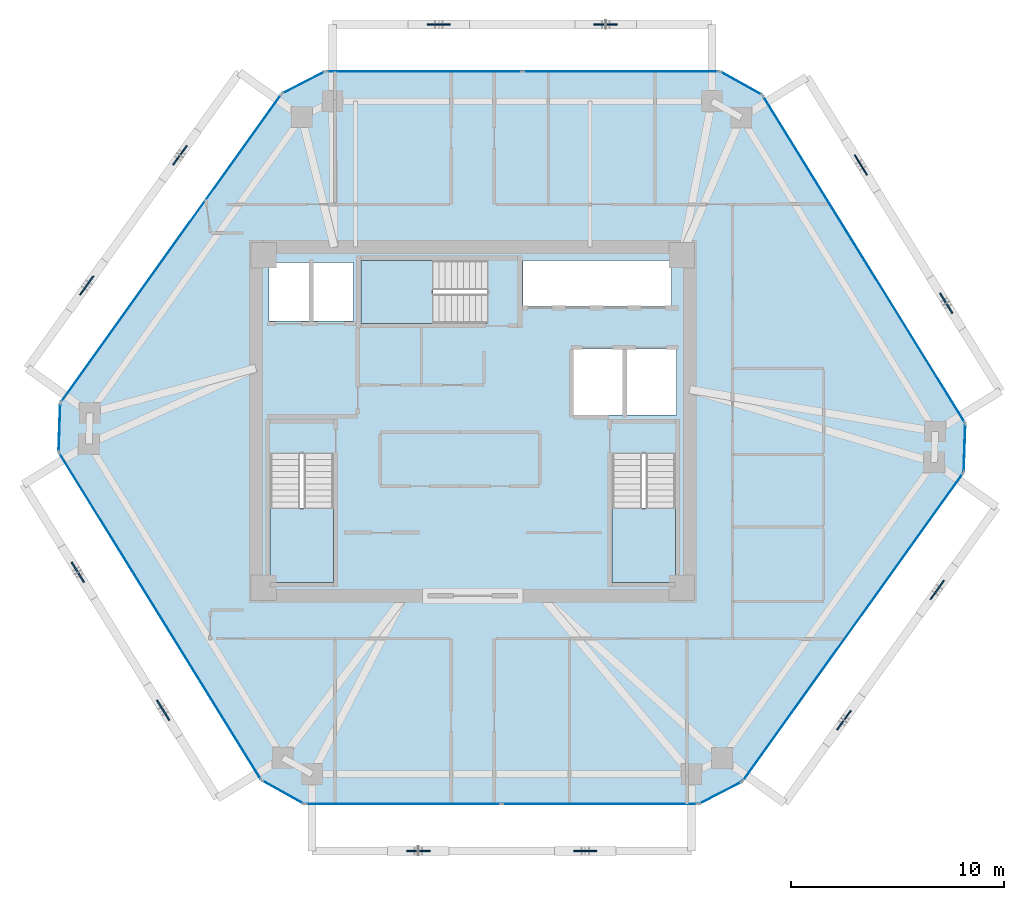
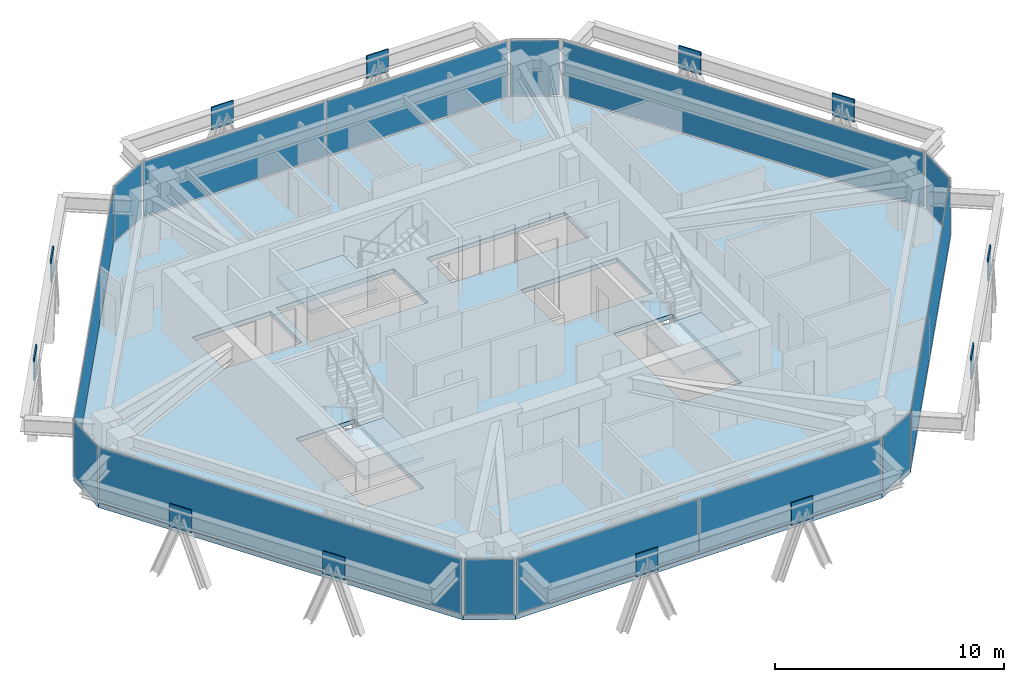
# One storey, part 7 of 14: 26 plates, 4 slabs, 15 elements without a shape of their own.
"""IFC4 building model written with IfcOpenShell, lengths in metres."""

from ifc_helpers import new_model, si_unit, direction, frame, origin, origin_2d, place, context, subcontext, project, spatial, polyline, rectangle, outline, extrude, source, transform, mapped, material, layer, layer_set, type_object, type_shapes, element, aggregate, save


model = new_model("IFC4")

# Units and contexts
model_context = context("Model", 3, precision=1e-05, world=origin(), true_north=direction((0.0, 1.0)))
body_context = subcontext(model_context, "Body", "Model", "MODEL_VIEW")
ifc_project = project(units=[si_unit("LENGTHUNIT", "METRE"), si_unit("AREAUNIT", "SQUARE_METRE"), si_unit("VOLUMEUNIT", "CUBIC_METRE"), si_unit("PLANEANGLEUNIT", "RADIAN"), si_unit("MASSUNIT", "GRAM", prefix="KILO")], contexts=[model_context])

# Site, building, storey
site_placement = place(None, origin())
site = spatial("IfcSite", under=ifc_project, at=site_placement, CompositionType="ELEMENT")
building_placement = place(site_placement, origin())
building = spatial("IfcBuilding", under=site, at=building_placement, Name="Durnholm Broadcast Tower", CompositionType="ELEMENT")
storey_placement = place(building_placement, frame((0.0, 0.0, 173.800048828125)))
storey = spatial("IfcBuildingStorey", under=building, at=storey_placement, Name="L47", CompositionType="ELEMENT", Elevation=173.800048828125)

# Slab
ifc_material_1 = material(Name="Concrete C50/60", Category="concrete")
ifc_layer_1 = layer(ifc_material_1, 0.239990234375)
ifc_layer_set_1 = layer_set([ifc_layer_1], Name="Concrete C50/60")
slab_type_1 = type_object("IfcSlabType", Name="SLAB-FLR-240", PredefinedType="FLOOR", material=ifc_layer_set_1)
slab_1_placement = place(storey_placement, frame((0.0, 0.0, -0.239990234375)))
element("IfcSlab", 1, at=slab_1_placement, inside=storey, type_object=slab_type_1, Name="L47 structural floor slab", PredefinedType="FLOOR", context=body_context, shape_type="SweptSolid", body=[
    extrude(outline(polyline([(-9.912353515625, -16.822021484375), (-7.9033203125, -17.94189453125), (10.59521484375, -17.94189453125), (12.64111328125, -16.890625), (23.022705078125, -2.390380859375), (23.1005859375, -0.091552734375), (13.59033203125, 15.2978515625), (11.581298828125, 16.41796875), (-6.917236328125, 16.41796875), (-8.962890625, 15.36669921875), (-19.3447265625, 0.8662109375), (-19.422607421875, -1.432373046875), (-9.912353515625, -16.822021484375)]), holes=[polyline([(-6.5400390625, -1.5), (-9.5, -1.5), (-9.5, -7.550048828125), (-6.5400390625, -7.550048828125), (-6.5400390625, -1.5)]), polyline([(9.5, -7.550048828125), (9.5, -1.5), (6.5400390625, -1.5), (6.5400390625, -7.550048828125), (9.5, -7.550048828125)]), polyline([(9.550048828125, 3.39990234375), (4.699951171875, 3.39990234375), (4.699951171875, 0.300048828125), (9.550048828125, 0.300048828125), (9.550048828125, 3.39990234375)]), polyline([(-9.550048828125, 7.449951171875), (-9.550048828125, 4.699951171875), (-5.60009765625, 4.699951171875), (-5.60009765625, 7.449951171875), (-9.550048828125, 7.449951171875)]), polyline([(-5.25, 4.60009765625), (0.699951171875, 4.60009765625), (0.699951171875, 7.56005859375), (-5.25, 7.56005859375), (-5.25, 4.60009765625)]), polyline([(9.31005859375, 7.550048828125), (2.35009765625, 7.550048828125), (2.35009765625, 5.39990234375), (9.31005859375, 5.39990234375), (9.31005859375, 7.550048828125)])]), origin(), (0.0, 0.0, 1.0), 0.239990234375),
])

# Stair, slab
stair_type = type_object("IfcStairType", Name="STAIR-DL-20R1650", PredefinedType="HALF_TURN_STAIR", material=ifc_material_1)
stair_1_placement = place(storey_placement, origin())
stair_1 = element("IfcStair", 2, at=stair_1_placement, inside=storey, type_object=stair_type, Name="L47 ST-1", PredefinedType="HALF_TURN_STAIR")
ifc_layer_2 = layer(ifc_material_1, 0.199951171875)
ifc_layer_set_2 = layer_set([ifc_layer_2], Name="Concrete C50/60")
slab_type_2 = type_object("IfcSlabType", Name="SLAB-LND-200", PredefinedType="LANDING", material=ifc_layer_set_2)
slab_2_placement = place(storey_placement, frame((0.0, 0.0, 1.449951171875)))
slab_2 = element("IfcSlab", 3, at=slab_2_placement, type_object=slab_type_2, Name="ST-1 landing 1", PredefinedType="LANDING", context=body_context, shape_type="SweptSolid", body=[
    extrude(outline(polyline([(-9.5, -4.06494140625), (-9.5, -7.550048828125), (-6.5400390625, -7.550048828125), (-6.5400390625, -4.06494140625), (-9.5, -4.06494140625)])), origin(), (0.0, 0.0, 1.0), 0.199951171875),
])
aggregate(stair_1, [slab_2])

stair_2_placement = place(storey_placement, origin())
stair_2 = element("IfcStair", 4, at=stair_2_placement, inside=storey, type_object=stair_type, Name="L47 ST-2", PredefinedType="HALF_TURN_STAIR")
slab_3_placement = place(storey_placement, frame((0.0, 0.0, 1.449951171875)))
slab_3 = element("IfcSlab", 5, at=slab_3_placement, type_object=slab_type_2, Name="ST-2 landing 1", PredefinedType="LANDING", context=body_context, shape_type="SweptSolid", body=[
    extrude(outline(polyline([(6.5400390625, -4.06494140625), (6.5400390625, -7.550048828125), (9.5, -7.550048828125), (9.5, -4.06494140625), (6.5400390625, -4.06494140625)])), origin(), (0.0, 0.0, 1.0), 0.199951171875),
])
aggregate(stair_2, [slab_3])

stair_3_placement = place(storey_placement, origin())
stair_3 = element("IfcStair", 6, at=stair_3_placement, inside=storey, type_object=stair_type, Name="L47 ST-3", PredefinedType="HALF_TURN_STAIR")
slab_4_placement = place(storey_placement, frame((0.0, 0.0, 1.449951171875)))
slab_4 = element("IfcSlab", 7, at=slab_4_placement, type_object=slab_type_2, Name="ST-3 landing 1", PredefinedType="LANDING", context=body_context, shape_type="SweptSolid", body=[
    extrude(outline(polyline([(-1.864990234375, 7.56005859375), (-5.25, 7.56005859375), (-5.25, 4.60009765625), (-1.864990234375, 4.60009765625), (-1.864990234375, 7.56005859375)])), origin(), (0.0, 0.0, 1.0), 0.199951171875),
])
aggregate(stair_3, [slab_4])

# Plates
ifc_material_2 = material(Name="Steel ASTM A572 Grade 50", Category="steel")
ifc_layer_3 = layer(ifc_material_2, 0.06494140625)
ifc_layer_set_3 = layer_set([ifc_layer_3], Name="Steel ASTM A572 Grade 50")
plate_type_1 = type_object("IfcPlateType", Name="PLT-KN07-GUS", PredefinedType="USERDEFINED", material=ifc_layer_set_3)
shared_shape_1 = source(origin(), body_context, "Body", "SweptSolid", [
    extrude(rectangle(XDim=1.10009765625, YDim=0.06494140625, at=origin_2d()), origin(), (0.0, 0.0, 1.0), 1.199951171875),
])
type_shapes(plate_type_1, [shared_shape_1])
for number, where, z_axis, x_axis, name in (
    (8, (-2.556640625, -20.14208984375, 1.70849609375), (0.0, 0.0, 1.0), (1.0, 0.0, 0.0), "L47 welded diagrid node gusset plate KN07 F1"),
    (9, (5.273681640625, -20.14208984375, 1.70849609375), (0.0, 0.0, 1.0), (1.0, 0.0, 0.0), "L47 welded diagrid node gusset plate KN07 F1"),
    (10, (17.40966796875, -14.009521484375, 1.70849609375), (0.0, 0.0, 1.0), (0.582122970157, 0.813100761047, 0.0), "L47 welded diagrid node gusset plate KN07 F2"),
    (11, (21.782470703125, -7.90185546875, 1.70849609375), (0.0, 0.0, 1.0), (0.582122970157, 0.813100761047, 0.0), "L47 welded diagrid node gusset plate KN07 F2"),
    (12, (22.202392578125, 5.546875, 1.70849609375), (0.0, 0.0, 1.0), (-0.525768608156, 0.850627633385, 0.0), "L47 welded diagrid node gusset plate KN07 F3"),
    (13, (18.2001953125, 12.023193359375, 1.70849609375), (0.0, 0.0, 1.0), (-0.525768608156, 0.850627633385, 0.0), "L47 welded diagrid node gusset plate KN07 F3"),
    (14, (6.234619140625, 18.617919921875, 1.70849609375), (0.0, 0.0, 1.0), (-1.0, 0.0, 0.0), "L47 welded diagrid node gusset plate KN07 F4"),
    (15, (-1.595703125, 18.617919921875, 1.70849609375), (0.0, 0.0, 1.0), (-1.0, 0.0, 0.0), "L47 welded diagrid node gusset plate KN07 F4"),
    (16, (-13.731689453125, 12.485595703125, 1.70849609375), (0.0, 0.0, 1.0), (-0.582122970157, -0.813100761047, 0.0), "L47 welded diagrid node gusset plate KN07 F5"),
    (17, (-18.1044921875, 6.3779296875, 1.70849609375), (0.0, 0.0, 1.0), (-0.582122970157, -0.813100761047, 0.0), "L47 welded diagrid node gusset plate KN07 F5"),
    (18, (-18.5244140625, -7.07080078125, 1.70849609375), (0.0, 0.0, 1.0), (0.525768608156, -0.850627633385, 0.0), "L47 welded diagrid node gusset plate KN07 F6"),
    (19, (-14.522216796875, -13.54736328125, 1.70849609375), (0.0, 0.0, 1.0), (0.525768608156, -0.850627633385, 0.0), "L47 welded diagrid node gusset plate KN07 F6"),
):
    element("IfcPlate", number, at=place(storey_placement, frame(where, z_axis=z_axis, x_axis=x_axis)), inside=storey, type_object=plate_type_1, Name=name, ObjectType="GUSSET_PLATE", PredefinedType="USERDEFINED", context=body_context, shape_type="MappedRepresentation", body=[
        mapped(shared_shape_1, transform((0.0, 0.0, 0.0), x_axis=(1.0, 0.0, 0.0), y_axis=(0.0, 1.0, 0.0), z_axis=(0.0, 0.0, 1.0), scale=1.0)),
    ])

# Curtain wall, plate
ifc_material_3 = material(Name="Aluminium and Solar Control IGU", Category="aluminium")
ifc_layer_4 = layer(ifc_material_3, 0.1650390625)
ifc_layer_set_4 = layer_set([ifc_layer_4], Name="Aluminium and Solar Control IGU")
curtain_wall_type_1 = type_object("IfcCurtainWallType", Name="CW-SYS-5", PredefinedType="NOTDEFINED", material=ifc_layer_set_4)
curtain_wall_1_placement = place(storey_placement, origin())
curtain_wall_1 = element("IfcCurtainWall", 20, at=curtain_wall_1_placement, inside=storey, type_object=curtain_wall_type_1, Name="L47 curtain wall CW-CORNER CW-L47-CRN-01", PredefinedType="NOTDEFINED")
ifc_material_4 = material(Name="Low-E Laminated Insulating Glass", Category="glass")
ifc_layer_5 = layer(ifc_material_4, 0.030029296875)
ifc_layer_set_5 = layer_set([ifc_layer_5], Name="Low-E Laminated Insulating Glass")
plate_type_2 = type_object("IfcPlateType", Name="CW-SYS-5-PNL", PredefinedType="CURTAIN_PANEL", material=ifc_layer_set_5)
shared_shape_2 = source(origin(), body_context, "Body", "SweptSolid", [
    extrude(rectangle(XDim=2.169921875, YDim=0.030029296875, at=origin_2d()), origin(), (0.0, 0.0, 1.0), 2.929931640625),
])
plate_1_placement = place(storey_placement, frame((-19.3837890625, -0.282958984375, 0.06494140625), z_axis=(0.0, 0.0, 1.0), x_axis=(0.033912704699, 0.999424798802, 0.0)))
plate_1 = element("IfcPlate", 21, at=plate_1_placement, type_object=plate_type_2, Name="CW-CORNER panel 1.1", PredefinedType="CURTAIN_PANEL", context=body_context, shape_type="MappedRepresentation", body=[
    mapped(shared_shape_2, transform((0.0, 0.0, 0.0), x_axis=(1.0, 0.0, 0.0), y_axis=(0.0, 1.0, 0.0), z_axis=(0.0, 0.0, 1.0), scale=1.0)),
])
aggregate(curtain_wall_1, [plate_1])

curtain_wall_2_placement = place(storey_placement, origin())
curtain_wall_2 = element("IfcCurtainWall", 22, at=curtain_wall_2_placement, inside=storey, type_object=curtain_wall_type_1, Name="L47 curtain wall CW-CORNER CW-L47-CRN-03", PredefinedType="NOTDEFINED")
plate_2_placement = place(storey_placement, frame((-7.940185546875, 15.892333984375, 0.06494140625), z_axis=(0.0, 0.0, 1.0), x_axis=(0.889424679545, 0.457081764476, 0.0)))
plate_2 = element("IfcPlate", 23, at=plate_2_placement, type_object=plate_type_2, Name="CW-CORNER panel 1.1", PredefinedType="CURTAIN_PANEL", context=body_context, shape_type="MappedRepresentation", body=[
    mapped(shared_shape_2, transform((0.0, 0.0, 0.0), x_axis=(1.0, 0.0, 0.0), y_axis=(0.0, 1.0, 0.0), z_axis=(0.0, 0.0, 1.0), scale=1.0)),
])
aggregate(curtain_wall_2, [plate_2])

curtain_wall_3_placement = place(storey_placement, origin())
curtain_wall_3 = element("IfcCurtainWall", 24, at=curtain_wall_3_placement, inside=storey, type_object=curtain_wall_type_1, Name="L47 curtain wall CW-CORNER CW-L47-CRN-07", PredefinedType="NOTDEFINED")
plate_3_placement = place(storey_placement, frame((23.061767578125, -1.240966796875, 0.06494140625), z_axis=(0.0, 0.0, 1.0), x_axis=(-0.033912704699, -0.999424798802, 0.0)))
plate_3 = element("IfcPlate", 25, at=plate_3_placement, type_object=plate_type_2, Name="CW-CORNER panel 1.1", PredefinedType="CURTAIN_PANEL", context=body_context, shape_type="MappedRepresentation", body=[
    mapped(shared_shape_2, transform((0.0, 0.0, 0.0), x_axis=(1.0, 0.0, 0.0), y_axis=(0.0, 1.0, 0.0), z_axis=(0.0, 0.0, 1.0), scale=1.0)),
])
aggregate(curtain_wall_3, [plate_3])

curtain_wall_4_placement = place(storey_placement, origin())
curtain_wall_4 = element("IfcCurtainWall", 26, at=curtain_wall_4_placement, inside=storey, type_object=curtain_wall_type_1, Name="L47 curtain wall CW-CORNER CW-L47-CRN-09", PredefinedType="NOTDEFINED")
plate_4_placement = place(storey_placement, frame((11.6181640625, -17.416259765625, 0.06494140625), z_axis=(0.0, 0.0, 1.0), x_axis=(-0.889424679545, -0.457081764476, 0.0)))
plate_4 = element("IfcPlate", 27, at=plate_4_placement, type_object=plate_type_2, Name="CW-CORNER panel 1.1", PredefinedType="CURTAIN_PANEL", context=body_context, shape_type="MappedRepresentation", body=[
    mapped(shared_shape_2, transform((0.0, 0.0, 0.0), x_axis=(1.0, 0.0, 0.0), y_axis=(0.0, 1.0, 0.0), z_axis=(0.0, 0.0, 1.0), scale=1.0)),
])
aggregate(curtain_wall_4, [plate_4])

ifc_layer_6 = layer(ifc_material_3, 0.18994140625)
ifc_layer_set_6 = layer_set([ifc_layer_6], Name="Aluminium and Solar Control IGU")
curtain_wall_type_2 = type_object("IfcCurtainWallType", Name="CW-SYS-4", PredefinedType="NOTDEFINED", material=ifc_layer_set_6)
curtain_wall_5_placement = place(storey_placement, origin())
curtain_wall_5 = element("IfcCurtainWall", 28, at=curtain_wall_5_placement, inside=storey, type_object=curtain_wall_type_2, Name="L47 curtain wall CW-Z34-VIS CW-L47-F02", PredefinedType="NOTDEFINED")
ifc_layer_7 = layer(ifc_material_4, 0.033935546875)
ifc_layer_set_7 = layer_set([ifc_layer_7], Name="Low-E Laminated Insulating Glass")
plate_type_3 = type_object("IfcPlateType", Name="CW-SYS-4-PNL", PredefinedType="CURTAIN_PANEL", material=ifc_layer_set_7)
shared_shape_3 = source(origin(), body_context, "Body", "SweptSolid", [
    extrude(rectangle(XDim=17.693603515625, YDim=0.033935546875, at=origin_2d()), origin(), (0.0, 0.0, 1.0), 2.919921875),
])
plate_5_placement = place(storey_placement, frame((-14.15380859375, 8.116455078125, 0.070068359375), z_axis=(0.0, 0.0, 1.0), x_axis=(0.582139030549, 0.813089262696, 0.0)))
plate_5 = element("IfcPlate", 29, at=plate_5_placement, type_object=plate_type_3, Name="CW-Z34-VIS panel 1.1", PredefinedType="CURTAIN_PANEL", context=body_context, shape_type="MappedRepresentation", body=[
    mapped(shared_shape_3, transform((0.0, 0.0, 0.0), x_axis=(1.0, 0.0, 0.0), y_axis=(0.0, 1.0, 0.0), z_axis=(0.0, 0.0, 1.0), scale=1.0)),
])
aggregate(curtain_wall_5, [plate_5])

curtain_wall_6_placement = place(storey_placement, origin())
curtain_wall_6 = element("IfcCurtainWall", 30, at=curtain_wall_6_placement, inside=storey, type_object=curtain_wall_type_2, Name="L47 curtain wall CW-Z34-VIS CW-L47-F08", PredefinedType="NOTDEFINED")
plate_6_placement = place(storey_placement, frame((17.831787109375, -9.640380859375, 0.070068359375), z_axis=(0.0, 0.0, 1.0), x_axis=(-0.582139030549, -0.813089262696, 0.0)))
plate_6 = element("IfcPlate", 31, at=plate_6_placement, type_object=plate_type_3, Name="CW-Z34-VIS panel 1.1", PredefinedType="CURTAIN_PANEL", context=body_context, shape_type="MappedRepresentation", body=[
    mapped(shared_shape_3, transform((0.0, 0.0, 0.0), x_axis=(1.0, 0.0, 0.0), y_axis=(0.0, 1.0, 0.0), z_axis=(0.0, 0.0, 1.0), scale=1.0)),
])
aggregate(curtain_wall_6, [plate_6])

# Curtain wall, plates
curtain_wall_7_placement = place(storey_placement, origin())
curtain_wall_7 = element("IfcCurtainWall", 32, at=curtain_wall_7_placement, inside=storey, type_object=curtain_wall_type_2, Name="L47 curtain wall CW-Z34-VIS CW-L47-F04", PredefinedType="NOTDEFINED")
shared_shape_4 = source(origin(), body_context, "Body", "SweptSolid", [
    extrude(rectangle(XDim=9.144287109375, YDim=0.033935546875, at=origin_2d()), origin(), (0.0, 0.0, 1.0), 2.919921875),
])
plate_7_placement = place(storey_placement, frame((-2.275146484375, 16.41796875, 0.070068359375), z_axis=(0.0, 0.0, 1.0), x_axis=(1.0, 0.0, 0.0)))
plate_7 = element("IfcPlate", 33, at=plate_7_placement, type_object=plate_type_3, Name="CW-Z34-VIS panel 1.1", PredefinedType="CURTAIN_PANEL", context=body_context, shape_type="MappedRepresentation", body=[
    mapped(shared_shape_4, transform((0.0, 0.0, 0.0), x_axis=(1.0, 0.0, 0.0), y_axis=(0.0, 1.0, 0.0), z_axis=(0.0, 0.0, 1.0), scale=1.0)),
])
plate_8_placement = place(storey_placement, frame((6.939208984375, 16.41796875, 0.070068359375), z_axis=(0.0, 0.0, 1.0), x_axis=(1.0, 0.0, 0.0)))
plate_8 = element("IfcPlate", 34, at=plate_8_placement, type_object=plate_type_3, Name="CW-Z34-VIS panel 2.1", PredefinedType="CURTAIN_PANEL", context=body_context, shape_type="MappedRepresentation", body=[
    mapped(shared_shape_4, transform((0.0, 0.0, 0.0), x_axis=(1.0, 0.0, 0.0), y_axis=(0.0, 1.0, 0.0), z_axis=(0.0, 0.0, 1.0), scale=1.0)),
])
aggregate(curtain_wall_7, [plate_7, plate_8])

curtain_wall_8_placement = place(storey_placement, origin())
curtain_wall_8 = element("IfcCurtainWall", 35, at=curtain_wall_8_placement, inside=storey, type_object=curtain_wall_type_2, Name="L47 curtain wall CW-Z34-VIS CW-L47-F10", PredefinedType="NOTDEFINED")
plate_9_placement = place(storey_placement, frame((5.953125, -17.94189453125, 0.070068359375), z_axis=(0.0, 0.0, 1.0), x_axis=(-1.0, 0.0, 0.0)))
plate_9 = element("IfcPlate", 36, at=plate_9_placement, type_object=plate_type_3, Name="CW-Z34-VIS panel 1.1", PredefinedType="CURTAIN_PANEL", context=body_context, shape_type="MappedRepresentation", body=[
    mapped(shared_shape_4, transform((0.0, 0.0, 0.0), x_axis=(1.0, 0.0, 0.0), y_axis=(0.0, 1.0, 0.0), z_axis=(0.0, 0.0, 1.0), scale=1.0)),
])
plate_10_placement = place(storey_placement, frame((-3.26123046875, -17.94189453125, 0.070068359375), z_axis=(0.0, 0.0, 1.0), x_axis=(-1.0, 0.0, 0.0)))
plate_10 = element("IfcPlate", 37, at=plate_10_placement, type_object=plate_type_3, Name="CW-Z34-VIS panel 2.1", PredefinedType="CURTAIN_PANEL", context=body_context, shape_type="MappedRepresentation", body=[
    mapped(shared_shape_4, transform((0.0, 0.0, 0.0), x_axis=(1.0, 0.0, 0.0), y_axis=(0.0, 1.0, 0.0), z_axis=(0.0, 0.0, 1.0), scale=1.0)),
])
aggregate(curtain_wall_8, [plate_9, plate_10])

# Curtain wall, plate
curtain_wall_9_placement = place(storey_placement, origin())
curtain_wall_9 = element("IfcCurtainWall", 38, at=curtain_wall_9_placement, inside=storey, type_object=curtain_wall_type_1, Name="L47 curtain wall CW-CORNER CW-L47-CRN-05", PredefinedType="NOTDEFINED")
shared_shape_5 = source(origin(), body_context, "Body", "SweptSolid", [
    extrude(rectangle(XDim=2.170166015625, YDim=0.030029296875, at=origin_2d()), origin(), (0.0, 0.0, 1.0), 2.929931640625),
])
type_shapes(plate_type_2, [shared_shape_2, shared_shape_5])
plate_11_placement = place(storey_placement, frame((12.5859375, 15.85791015625, 0.06494140625), z_axis=(0.0, 0.0, 1.0), x_axis=(0.873409751271, -0.486986043316, 0.0)))
plate_11 = element("IfcPlate", 39, at=plate_11_placement, type_object=plate_type_2, Name="CW-CORNER panel 1.1", PredefinedType="CURTAIN_PANEL", context=body_context, shape_type="MappedRepresentation", body=[
    mapped(shared_shape_5, transform((0.0, 0.0, 0.0), x_axis=(1.0, 0.0, 0.0), y_axis=(0.0, 1.0, 0.0), z_axis=(0.0, 0.0, 1.0), scale=1.0)),
])
aggregate(curtain_wall_9, [plate_11])

curtain_wall_10_placement = place(storey_placement, origin())
curtain_wall_10 = element("IfcCurtainWall", 40, at=curtain_wall_10_placement, inside=storey, type_object=curtain_wall_type_1, Name="L47 curtain wall CW-CORNER CW-L47-CRN-11", PredefinedType="NOTDEFINED")
plate_12_placement = place(storey_placement, frame((-8.907958984375, -17.3818359375, 0.06494140625), z_axis=(0.0, 0.0, 1.0), x_axis=(-0.873409751271, 0.486986043316, 0.0)))
plate_12 = element("IfcPlate", 41, at=plate_12_placement, type_object=plate_type_2, Name="CW-CORNER panel 1.1", PredefinedType="CURTAIN_PANEL", context=body_context, shape_type="MappedRepresentation", body=[
    mapped(shared_shape_5, transform((0.0, 0.0, 0.0), x_axis=(1.0, 0.0, 0.0), y_axis=(0.0, 1.0, 0.0), z_axis=(0.0, 0.0, 1.0), scale=1.0)),
])
aggregate(curtain_wall_10, [plate_12])

curtain_wall_11_placement = place(storey_placement, origin())
curtain_wall_11 = element("IfcCurtainWall", 42, at=curtain_wall_11_placement, inside=storey, type_object=curtain_wall_type_2, Name="L47 curtain wall CW-Z34-VIS CW-L47-F06", PredefinedType="NOTDEFINED")
shared_shape_6 = source(origin(), body_context, "Body", "SweptSolid", [
    extrude(rectangle(XDim=17.950927734375, YDim=0.033935546875, at=origin_2d()), origin(), (0.0, 0.0, 1.0), 2.919921875),
])
type_shapes(plate_type_3, [shared_shape_3, shared_shape_4, shared_shape_6])
plate_13_placement = place(storey_placement, frame((18.345458984375, 7.603271484375, 0.070068359375), z_axis=(0.0, 0.0, 1.0), x_axis=(0.525697750452, -0.850671426092, 0.0)))
plate_13 = element("IfcPlate", 43, at=plate_13_placement, type_object=plate_type_3, Name="CW-Z34-VIS panel 1.1", PredefinedType="CURTAIN_PANEL", context=body_context, shape_type="MappedRepresentation", body=[
    mapped(shared_shape_6, transform((0.0, 0.0, 0.0), x_axis=(1.0, 0.0, 0.0), y_axis=(0.0, 1.0, 0.0), z_axis=(0.0, 0.0, 1.0), scale=1.0)),
])
aggregate(curtain_wall_11, [plate_13])

curtain_wall_12_placement = place(storey_placement, origin())
curtain_wall_12 = element("IfcCurtainWall", 44, at=curtain_wall_12_placement, inside=storey, type_object=curtain_wall_type_2, Name="L47 curtain wall CW-Z34-VIS CW-L47-F12", PredefinedType="NOTDEFINED")
plate_14_placement = place(storey_placement, frame((-14.66748046875, -9.127197265625, 0.070068359375), z_axis=(0.0, 0.0, 1.0), x_axis=(-0.525697750452, 0.850671426092, 0.0)))
plate_14 = element("IfcPlate", 45, at=plate_14_placement, type_object=plate_type_3, Name="CW-Z34-VIS panel 1.1", PredefinedType="CURTAIN_PANEL", context=body_context, shape_type="MappedRepresentation", body=[
    mapped(shared_shape_6, transform((0.0, 0.0, 0.0), x_axis=(1.0, 0.0, 0.0), y_axis=(0.0, 1.0, 0.0), z_axis=(0.0, 0.0, 1.0), scale=1.0)),
])
aggregate(curtain_wall_12, [plate_14])

save(model, "model.ifc")
